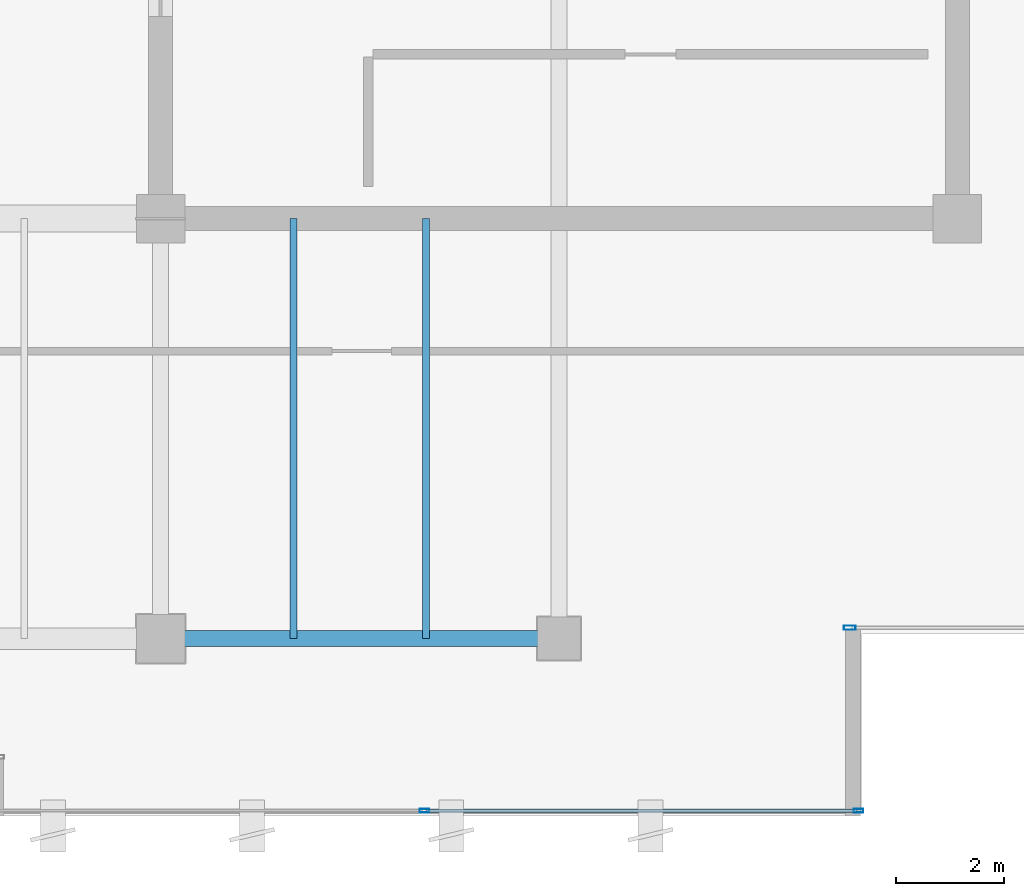
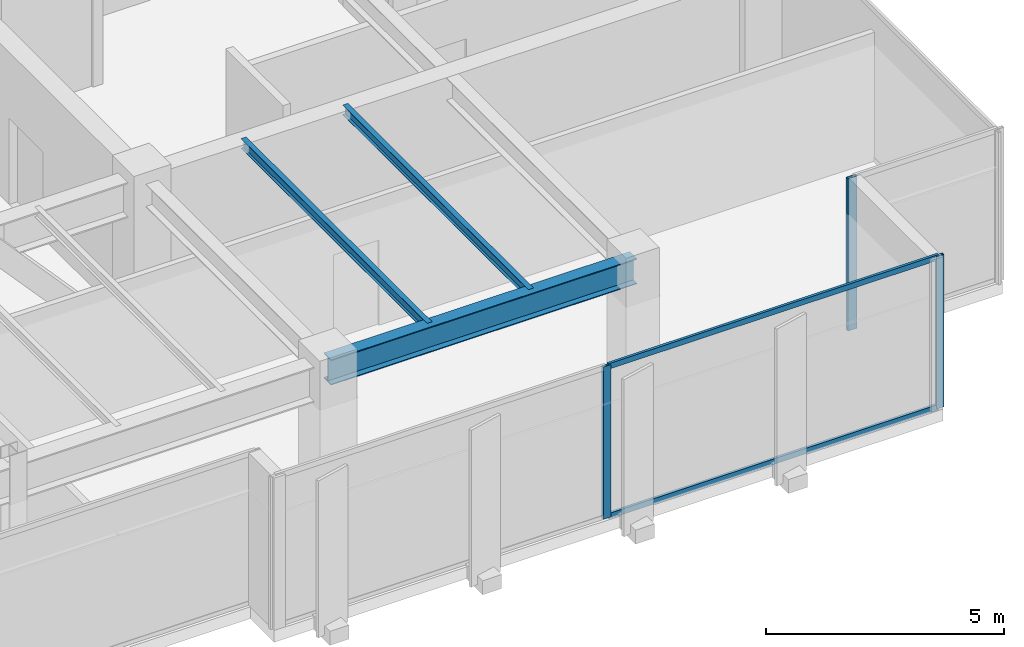
# One storey, part 13 of 32: 5 members, 3 beams, 2 elements without a shape of their own.
"""IFC4 building model written with IfcOpenShell, lengths in metres."""

from ifc_helpers import new_model, si_unit, direction, frame, origin, origin_2d, place, context, subcontext, project, spatial, hollow_rectangle, i_section, extrude, source, transform, mapped, material, layer, layer_set, material_profile, profile_set, type_object, type_shapes, element, aggregate, save


model = new_model("IFC4")

# Units and contexts
model_context = context("Model", 3, precision=1e-05, world=origin(), true_north=direction((0.0, 1.0)))
body_context = subcontext(model_context, "Body", "Model", "MODEL_VIEW")
ifc_project = project(units=[si_unit("LENGTHUNIT", "METRE"), si_unit("AREAUNIT", "SQUARE_METRE"), si_unit("VOLUMEUNIT", "CUBIC_METRE"), si_unit("PLANEANGLEUNIT", "RADIAN"), si_unit("MASSUNIT", "GRAM", prefix="KILO")], contexts=[model_context])

# Site, building, storey
site_placement = place(None, origin())
site = spatial("IfcSite", under=ifc_project, at=site_placement, CompositionType="ELEMENT")
building_placement = place(site_placement, origin())
building = spatial("IfcBuilding", under=site, at=building_placement, Name="Haelvirn Gate Laboratories", CompositionType="ELEMENT")
storey_placement = place(building_placement, frame((0.0, 0.0, 306.0)))
storey = spatial("IfcBuildingStorey", under=building, at=storey_placement, Name="L73", CompositionType="ELEMENT", Elevation=306.0)

# Beams
ifc_material_1 = material(Name="Steel SM355", Category="steel")
ifc_material_profile_1 = material_profile(ifc_material_1, i_section(OverallWidth=0.300048828125, OverallDepth=0.64990234375, WebThickness=0.012939453125, FlangeThickness=0.02197265625, at=origin_2d()), Name="H-650x300x13x22")
ifc_profile_set_1 = profile_set([ifc_material_profile_1], Name="Steel SM355")
beam_type_1 = type_object("IfcBeamType", Name="BM-G-650", PredefinedType="BEAM", material=ifc_profile_set_1)
shared_shape_1 = source(origin(), body_context, "Body", "SweptSolid", [
    extrude(i_section(OverallWidth=0.300048828125, OverallDepth=0.64990234375, WebThickness=0.012939453125, FlangeThickness=0.02197265625, at=origin_2d()), origin(), (0.0, 0.0, 1.0), 7.39990234375),
])
type_shapes(beam_type_1, [shared_shape_1])
beam_placement = place(storey_placement, frame((52.60009765625, 7.0, 3.574951171875), z_axis=(1.0, 0.0, 0.0), x_axis=(0.0, 1.0, 0.0)))
element("IfcBeam", 1, at=beam_placement, inside=storey, type_object=beam_type_1, Name="L73 Primary Girder Y7.0 (52.6-60.0)", PredefinedType="BEAM", context=body_context, shape_type="MappedRepresentation", body=[
    mapped(shared_shape_1, transform((0.0, 0.0, 0.0), scale=1.0)),
])
ifc_material_profile_2 = material_profile(ifc_material_1, i_section(OverallWidth=0.125, OverallDepth=0.25, WebThickness=0.006103515625, FlangeThickness=0.009033203125, at=origin_2d()), Name="H-250x125x6x9")
ifc_profile_set_2 = profile_set([ifc_material_profile_2], Name="Steel SM355")
beam_type_2 = type_object("IfcBeamType", Name="BM-J-250", PredefinedType="JOIST", material=ifc_profile_set_2)
shared_shape_2 = source(origin(), body_context, "Body", "SweptSolid", [
    extrude(i_section(OverallWidth=0.125, OverallDepth=0.25, WebThickness=0.006103515625, FlangeThickness=0.009033203125, at=origin_2d()), origin(), (0.0, 0.0, 1.0), 7.800048828125),
])
type_shapes(beam_type_2, [shared_shape_2])
for number, where, z_axis, x_axis, name in (
    (2, (55.070068359375, 7.0, 3.77490234375), (0.0, 1.0, 0.0), (-1.0, 0.0, 0.0), "L73 Composite Lab Joist South X55.07"),
    (3, (57.530029296875, 7.0, 3.77490234375), (0.0, 1.0, 0.0), (-1.0, 0.0, 0.0), "L73 Composite Lab Joist South X57.53"),
):
    element("IfcBeam", number, at=place(storey_placement, frame(where, z_axis=z_axis, x_axis=x_axis)), inside=storey, type_object=beam_type_2, Name=name, PredefinedType="JOIST", context=body_context, shape_type="MappedRepresentation", body=[
        mapped(shared_shape_2, transform((0.0, 0.0, 0.0), scale=1.0)),
    ])

# Curtain wall, members
ifc_material_2 = material(Name="Anodised bronze unitised aluminium & triple low-E glass", Category="aluminium")
ifc_layer_1 = layer(ifc_material_2, 0.176025390625, Name="CW-SYS-4")
ifc_layer_set_1 = layer_set([ifc_layer_1], Name="Anodised bronze unitised aluminium & triple low-E glass")
curtain_wall_type_1 = type_object("IfcCurtainWallType", Name="CW-SYS-4", PredefinedType="NOTDEFINED", material=ifc_layer_set_1)
curtain_wall_1_placement = place(storey_placement, origin())
curtain_wall_1 = element("IfcCurtainWall", 4, at=curtain_wall_1_placement, inside=storey, type_object=curtain_wall_type_1, Name="L73 Unitised Curtain Wall CW-L73-P0-E04-1", PredefinedType="NOTDEFINED")
ifc_material_3 = material(Name="Extruded aluminium 6063-T6 (anodised bronze)", Category="aluminium")
ifc_material_profile_3 = material_profile(ifc_material_3, hollow_rectangle(XDim=0.070068359375, YDim=0.179931640625, WallThickness=0.0048828125, at=origin_2d()), Name="CWM-180x70x5")
ifc_profile_set_3 = profile_set([ifc_material_profile_3], Name="Extruded aluminium 6063-T6 (anodised bronze)")
member_type_1 = type_object("IfcMemberType", Name="CWM-T180", PredefinedType="MULLION", material=ifc_profile_set_3)
shared_shape_3 = source(origin(), body_context, "Body", "SweptSolid", [
    extrude(hollow_rectangle(XDim=0.070068359375, YDim=0.179931640625, WallThickness=0.0048828125, at=origin_2d()), origin(), (0.0, 0.0, 1.0), 3.89990234375),
])
type_shapes(member_type_1, [shared_shape_3])
member_1_placement = place(storey_placement, frame((57.5, 3.800048828125, 0.0), z_axis=(0.0, 0.0, 1.0), x_axis=(0.0, 1.0, 0.0)))
member_1 = element("IfcMember", 5, at=member_1_placement, type_object=member_type_1, Name="CW4 mullion 2", PredefinedType="MULLION", context=body_context, shape_type="MappedRepresentation", body=[
    mapped(shared_shape_3, transform((0.0, 0.0, 0.0), scale=1.0)),
])
member_2_placement = place(storey_placement, frame((65.56494140625, 3.800048828125, 0.0), z_axis=(0.0, 0.0, 1.0), x_axis=(0.0, 1.0, 0.0)))
member_2 = element("IfcMember", 6, at=member_2_placement, type_object=member_type_1, Name="CW4 mullion 3", PredefinedType="MULLION", context=body_context, shape_type="MappedRepresentation", body=[
    mapped(shared_shape_3, transform((0.0, 0.0, 0.0), scale=1.0)),
])

# Curtain wall, member
ifc_layer_2 = layer(ifc_material_2, 0.181884765625, Name="CW-SYS-5")
ifc_layer_set_2 = layer_set([ifc_layer_2], Name="Anodised bronze unitised aluminium & triple low-E glass")
curtain_wall_type_2 = type_object("IfcCurtainWallType", Name="CW-SYS-5", PredefinedType="NOTDEFINED", material=ifc_layer_set_2)
curtain_wall_2_placement = place(storey_placement, origin())
curtain_wall_2 = element("IfcCurtainWall", 7, at=curtain_wall_2_placement, inside=storey, type_object=curtain_wall_type_2, Name="L73 Unitised Curtain Wall CW-L73-P0-E06-1", PredefinedType="NOTDEFINED")
ifc_material_profile_4 = material_profile(ifc_material_3, hollow_rectangle(XDim=0.080078125, YDim=0.219970703125, WallThickness=0.006103515625, at=origin_2d()), Name="CWM-220x80x6")
ifc_profile_set_4 = profile_set([ifc_material_profile_4], Name="Extruded aluminium 6063-T6 (anodised bronze)")
member_type_2 = type_object("IfcMemberType", Name="CWM-T220", PredefinedType="MULLION", material=ifc_profile_set_4)
shared_shape_4 = source(origin(), body_context, "Body", "SweptSolid", [
    extrude(hollow_rectangle(XDim=0.080078125, YDim=0.219970703125, WallThickness=0.006103515625, at=origin_2d()), origin(), (0.0, 0.0, 1.0), 3.89990234375),
])
type_shapes(member_type_2, [shared_shape_4])
member_3_placement = place(storey_placement, frame((65.39990234375, 7.199951171875, 0.0), z_axis=(0.0, 0.0, 1.0), x_axis=(0.0, 1.0, 0.0)))
member_3 = element("IfcMember", 8, at=member_3_placement, type_object=member_type_2, Name="CW5 mullion 1", PredefinedType="MULLION", context=body_context, shape_type="MappedRepresentation", body=[
    mapped(shared_shape_4, transform((0.0, 0.0, 0.0), scale=1.0)),
])
aggregate(curtain_wall_2, [member_3])

# Member
ifc_material_profile_5 = material_profile(ifc_material_3, hollow_rectangle(XDim=0.06494140625, YDim=0.139892578125, WallThickness=0.00390625, at=origin_2d()), Name="CWT-140x65x4")
ifc_profile_set_5 = profile_set([ifc_material_profile_5], Name="Extruded aluminium 6063-T6 (anodised bronze)")
member_type_3 = type_object("IfcMemberType", Name="CWT-T140", PredefinedType="USERDEFINED", material=ifc_profile_set_5)
shared_shape_5 = source(origin(), body_context, "Body", "SweptSolid", [
    extrude(hollow_rectangle(XDim=0.06494140625, YDim=0.139892578125, WallThickness=0.00390625, at=origin_2d()), origin(), (0.0, 0.0, 1.0), 7.9951171875),
])
type_shapes(member_type_3, [shared_shape_5])
member_4_placement = place(storey_placement, frame((57.534912109375, 3.800048828125, 0.032470703125), z_axis=(1.0, 0.0, 0.0), x_axis=(0.0, 1.0, 0.0)))
member_4 = element("IfcMember", 9, at=member_4_placement, type_object=member_type_3, Name="CW4 transom 2.1", ObjectType="TRANSOM", PredefinedType="USERDEFINED", context=body_context, shape_type="MappedRepresentation", body=[
    mapped(shared_shape_5, transform((0.0, 0.0, 0.0), scale=1.0)),
])

member_5_placement = place(storey_placement, frame((57.534912109375, 3.800048828125, 3.867431640625), z_axis=(1.0, 0.0, 0.0), x_axis=(0.0, 1.0, 0.0)))
member_5 = element("IfcMember", 10, at=member_5_placement, type_object=member_type_3, Name="CW4 transom 2.2", ObjectType="TRANSOM", PredefinedType="USERDEFINED", context=body_context, shape_type="MappedRepresentation", body=[
    mapped(shared_shape_5, transform((0.0, 0.0, 0.0), scale=1.0)),
])

aggregate(curtain_wall_1, [member_1, member_2, member_4, member_5])

save(model, "model.ifc")
